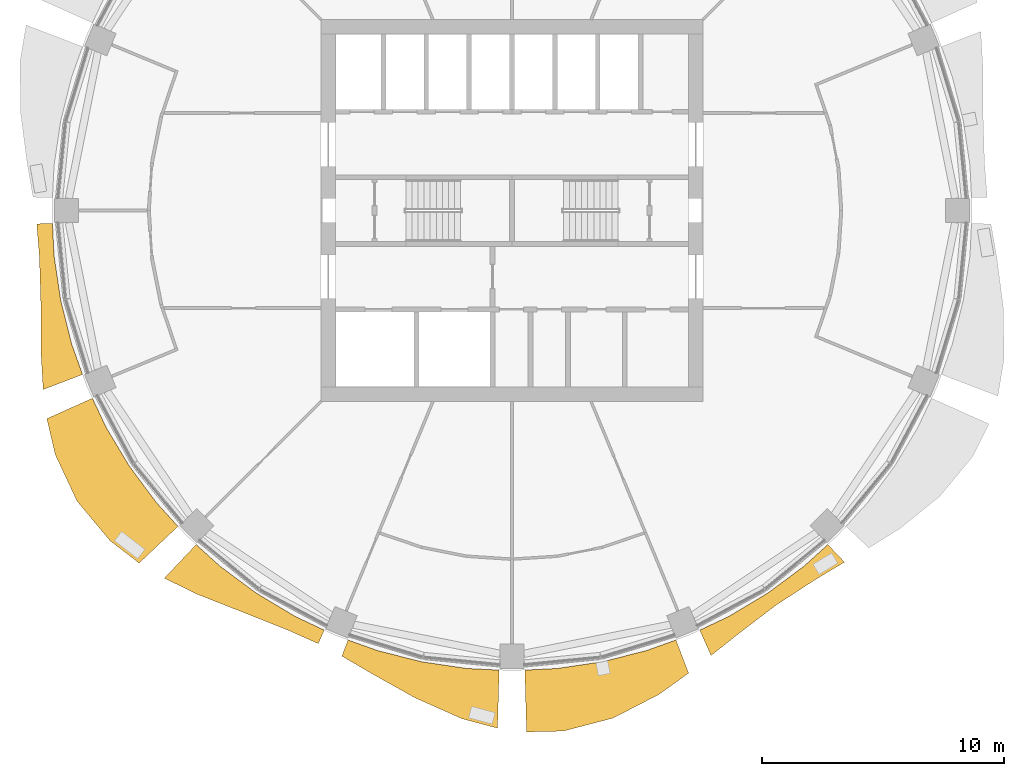
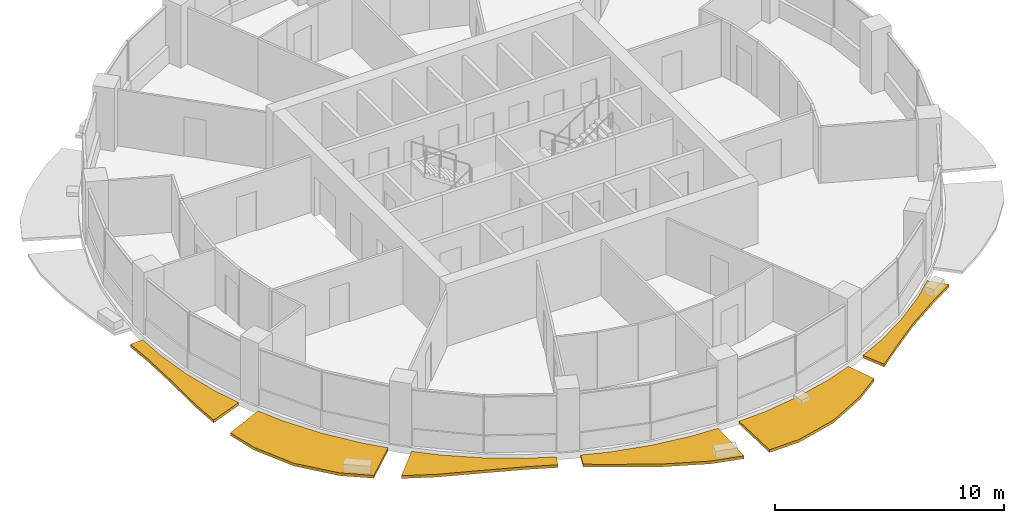
# One storey, part 12 of 15: 6 shading devices.
"""IFC4 building model written with IfcOpenShell, lengths in metres."""

from ifc_helpers import new_model, si_unit, direction, frame, origin, place, context, subcontext, project, spatial, polyline, outline, extrude, material, type_object, element, save


model = new_model("IFC4")

# Units and contexts
model_context = context("Model", 3, precision=1e-05, world=origin(), true_north=direction((0.0, 1.0)))
body_context = subcontext(model_context, "Body", "Model", "MODEL_VIEW")
ifc_project = project(units=[si_unit("LENGTHUNIT", "METRE"), si_unit("AREAUNIT", "SQUARE_METRE"), si_unit("VOLUMEUNIT", "CUBIC_METRE"), si_unit("PLANEANGLEUNIT", "RADIAN"), si_unit("MASSUNIT", "GRAM", prefix="KILO")], contexts=[model_context])

# Site, building, storey
site_placement = place(None, origin())
site = spatial("IfcSite", under=ifc_project, at=site_placement, CompositionType="ELEMENT")
building_placement = place(site_placement, origin())
building = spatial("IfcBuilding", under=site, at=building_placement, Name="Polderwave Tower", CompositionType="ELEMENT")
storey_placement = place(building_placement, frame((0.0, 0.0, 137.699951171875)))
storey = spatial("IfcBuildingStorey", under=building, at=storey_placement, Name="L36", CompositionType="ELEMENT", Elevation=137.699951171875)

# Shading devices
ifc_material = material(Name="Terracotta", Category="masonry")
shading_device_type = type_object("IfcShadingDeviceType", Name="Terracotta sunshade band", PredefinedType="USERDEFINED", material=ifc_material)
shading_device_1_placement = place(storey_placement, frame((0.0, 0.0, -0.349853515625)))
element("IfcShadingDevice", 1, at=shading_device_1_placement, inside=storey, type_object=shading_device_type, Name="Sunshade band L36 9", ObjectType="SUNSHADE", PredefinedType="USERDEFINED", context=body_context, shape_type="SweptSolid", body=[
    extrude(outline(polyline([(-18.9541015625, -0.530029296875), (-18.888671875, -1.8603515625), (-18.615234375, -3.702880859375), (-18.16259765625, -5.509521484375), (-17.714111328125, -6.763671875), (-19.336669921875, -7.38330078125), (-19.42578125, -5.892822265625), (-19.43310546875, -3.865478515625), (-19.49169921875, -1.919921875), (-19.60205078125, -0.548095703125), (-18.9541015625, -0.530029296875)])), origin(), (0.0, 0.0, 1.0), 0.14990234375),
])
shading_device_2_placement = place(storey_placement, frame((0.0, 0.0, -0.349853515625)))
element("IfcShadingDevice", 2, at=shading_device_2_placement, inside=storey, type_object=shading_device_type, Name="Sunshade band L36 10", ObjectType="SUNSHADE", PredefinedType="USERDEFINED", context=body_context, shape_type="SweptSolid", body=[
    extrude(outline(polyline([(-17.308349609375, -7.7431640625), (-16.739013671875, -8.947021484375), (-15.78125, -10.544677734375), (-14.671630859375, -12.040771484375), (-13.77734375, -13.027587890625), (-15.37841796875, -14.541748046875), (-16.58642578125, -13.612060546875), (-17.93994140625, -11.987060546875), (-18.837646484375, -10.06884765625), (-19.1845703125, -8.58251953125), (-17.308349609375, -7.7431640625)])), origin(), (0.0, 0.0, 1.0), 0.14990234375),
])
shading_device_3_placement = place(storey_placement, frame((0.0, 0.0, -0.349853515625)))
element("IfcShadingDevice", 3, at=shading_device_3_placement, inside=storey, type_object=shading_device_type, Name="Sunshade band L36 11", ObjectType="SUNSHADE", PredefinedType="USERDEFINED", context=body_context, shape_type="SweptSolid", body=[
    extrude(outline(polyline([(-13.027587890625, -13.77734375), (-12.040771484375, -14.671630859375), (-10.544677734375, -15.78125), (-8.947021484375, -16.739013671875), (-7.7431640625, -17.308349609375), (-7.991943359375, -17.864501953125), (-9.248779296875, -17.30322265625), (-11.07666015625, -16.577392578125), (-12.98681640625, -15.82470703125), (-14.338134765625, -15.1630859375), (-13.027587890625, -13.77734375)])), origin(), (0.0, 0.0, 1.0), 0.14990234375),
])
shading_device_4_placement = place(storey_placement, frame((0.0, 0.0, -0.349853515625)))
element("IfcShadingDevice", 4, at=shading_device_4_placement, inside=storey, type_object=shading_device_type, Name="Sunshade band L36 12", ObjectType="SUNSHADE", PredefinedType="USERDEFINED", context=body_context, shape_type="SweptSolid", body=[
    extrude(outline(polyline([(-6.763671875, -17.714111328125), (-5.509521484375, -18.16259765625), (-3.702880859375, -18.615234375), (-1.8603515625, -18.888671875), (-0.530029296875, -18.9541015625), (-0.596923828125, -21.350341796875), (-2.064208984375, -20.959228515625), (-3.997802734375, -20.098876953125), (-5.792236328125, -19.0947265625), (-7.016845703125, -18.377197265625), (-6.763671875, -17.714111328125)])), origin(), (0.0, 0.0, 1.0), 0.14990234375),
])
shading_device_5_placement = place(storey_placement, frame((0.0, 0.0, -0.349853515625)))
element("IfcShadingDevice", 5, at=shading_device_5_placement, inside=storey, type_object=shading_device_type, Name="Sunshade band L36 13", ObjectType="SUNSHADE", PredefinedType="USERDEFINED", context=body_context, shape_type="SweptSolid", body=[
    extrude(outline(polyline([(0.530029296875, -18.9541015625), (1.8603515625, -18.888671875), (3.702880859375, -18.615234375), (5.509521484375, -18.16259765625), (6.763671875, -17.714111328125), (7.28564453125, -19.080810546875), (6.055419921875, -19.9619140625), (4.164306640625, -20.93603515625), (2.114501953125, -21.47021484375), (0.601318359375, -21.50439453125), (0.530029296875, -18.9541015625)])), origin(), (0.0, 0.0, 1.0), 0.14990234375),
])
shading_device_6_placement = place(storey_placement, frame((0.0, 0.0, -0.349853515625)))
element("IfcShadingDevice", 6, at=shading_device_6_placement, inside=storey, type_object=shading_device_type, Name="Sunshade band L36 14", ObjectType="SUNSHADE", PredefinedType="USERDEFINED", context=body_context, shape_type="SweptSolid", body=[
    extrude(outline(polyline([(7.7431640625, -17.308349609375), (8.947021484375, -16.739013671875), (10.544677734375, -15.78125), (12.040771484375, -14.671630859375), (13.027587890625, -13.77734375), (13.71240234375, -14.501220703125), (12.49951171875, -15.230712890625), (10.880126953125, -16.283447265625), (9.333740234375, -17.46240234375), (8.21044921875, -18.35302734375), (7.7431640625, -17.308349609375)])), origin(), (0.0, 0.0, 1.0), 0.14990234375),
])

save(model, "model.ifc")
